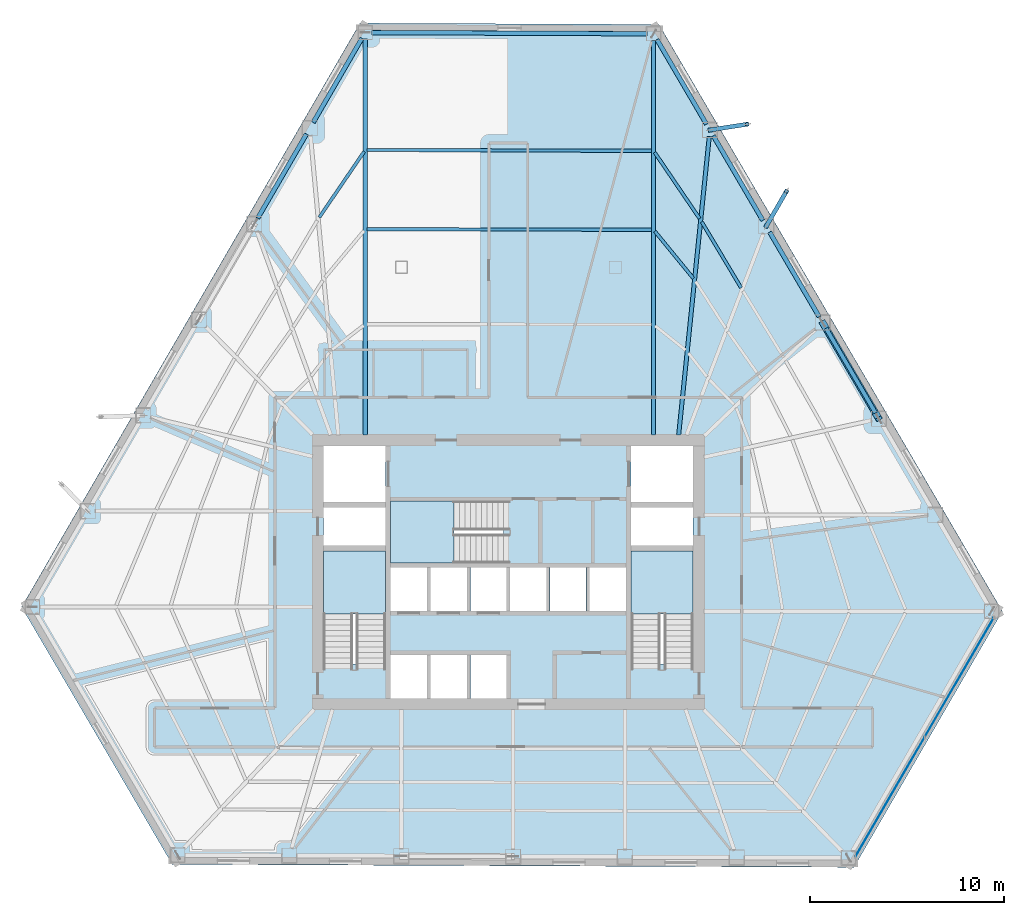
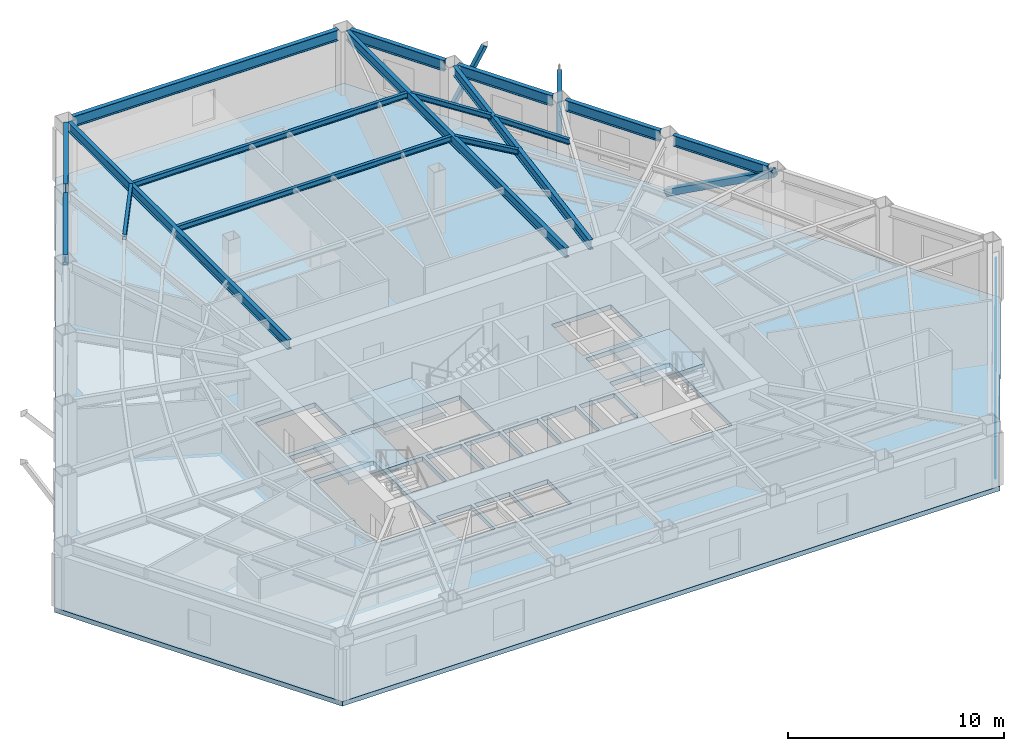
# One storey, part 4 of 14: 16 beams, 4 slabs, 3 members, 2 plates, 4 elements without a shape of their own.
"""IFC4 building model written with IfcOpenShell, lengths in metres."""

from ifc_helpers import new_model, si_unit, direction, frame, origin, origin_2d, place, context, subcontext, project, spatial, polyline, rectangle, hollow_rectangle, i_section, outline, extrude, material, layer, layer_set, material_profile, profile_set, type_object, element, aggregate, save


model = new_model("IFC4")

# Units and contexts
model_context = context("Model", 3, precision=1e-05, world=origin(), true_north=direction((0.0, 1.0)))
body_context = subcontext(model_context, "Body", "Model", "MODEL_VIEW")
ifc_project = project(units=[si_unit("LENGTHUNIT", "METRE"), si_unit("AREAUNIT", "SQUARE_METRE"), si_unit("VOLUMEUNIT", "CUBIC_METRE"), si_unit("PLANEANGLEUNIT", "RADIAN"), si_unit("MASSUNIT", "GRAM", prefix="KILO")], contexts=[model_context])

# Site, building, storey
site_placement = place(None, origin())
site = spatial("IfcSite", under=ifc_project, at=site_placement, CompositionType="ELEMENT")
building_placement = place(site_placement, origin())
building = spatial("IfcBuilding", under=site, at=building_placement, Name="Kavelnor Concourse Tower", CompositionType="ELEMENT")
storey_placement = place(building_placement, frame((0.0, 0.0, 52.199951171875)))
storey = spatial("IfcBuildingStorey", under=building, at=storey_placement, Name="L13", CompositionType="ELEMENT", Elevation=52.199951171875)

# Beams
ifc_material_1 = material(Name="Steel Grade 350", Category="steel")
ifc_material_profile_1 = material_profile(ifc_material_1, i_section(OverallWidth=0.166015625, OverallDepth=0.306884765625, WebThickness=0.006591796875, FlangeThickness=0.01171875, at=origin_2d()), Name="310UB46")
ifc_profile_set_1 = profile_set([ifc_material_profile_1], Name="Steel Grade 350")
beam_type_1 = type_object("IfcBeamType", Name="BM-JOIST-310", PredefinedType="JOIST", material=ifc_profile_set_1)
beam_1_placement = place(storey_placement, frame((49.988037109375, 30.73876953125, 3.4365234375), z_axis=(-0.513108303399, 0.858323871848, 0.0), x_axis=(-0.858323871848, -0.513108303399, 0.0)))
element("IfcBeam", 1, at=beam_1_placement, inside=storey, type_object=beam_type_1, Name="L13 Secondary Composite Joist 13-3", PredefinedType="JOIST", context=body_context, shape_type="SweptSolid", body=[
    extrude(i_section(OverallWidth=0.166015625, OverallDepth=0.306884765625, WebThickness=0.006591796875, FlangeThickness=0.01171875, at=origin_2d()), origin(), (0.0, 0.0, 1.0), 3.961181640625),
])
beam_2_placement = place(storey_placement, frame((47.52734375, 31.226318359375, 3.4365234375), z_axis=(-0.633267496171, 0.773932993413, 0.0), x_axis=(-0.773932993413, -0.633267496171, 0.0)))
element("IfcBeam", 2, at=beam_2_placement, inside=storey, type_object=beam_type_1, Name="L13 Secondary Composite Joist 14-2", PredefinedType="JOIST", context=body_context, shape_type="SweptSolid", body=[
    extrude(i_section(OverallWidth=0.166015625, OverallDepth=0.306884765625, WebThickness=0.006591796875, FlangeThickness=0.01171875, at=origin_2d()), origin(), (0.0, 0.0, 1.0), 3.1328125),
])
beam_3_placement = place(storey_placement, frame((47.849609375, 34.3046875, 3.4365234375), z_axis=(-0.561919022833, 0.827192245961, 0.0), x_axis=(-0.827192245961, -0.561919022833, 0.0)))
element("IfcBeam", 3, at=beam_3_placement, inside=storey, type_object=beam_type_1, Name="L13 Secondary Composite Joist 14-3", PredefinedType="JOIST", context=body_context, shape_type="SweptSolid", body=[
    extrude(i_section(OverallWidth=0.166015625, OverallDepth=0.306884765625, WebThickness=0.006591796875, FlangeThickness=0.01171875, at=origin_2d()), origin(), (0.0, 0.0, 1.0), 4.11669921875),
])
for number, where, z_axis, x_axis, name in (
    (4, (45.382568359375, 33.727294921875, 3.4365234375), (-0.99999746935, 0.002249731837, 0.0), (-0.002249731837, -0.99999746935, 0.0), "L13 Secondary Composite Joist 15-2"),
    (5, (45.382568359375, 37.791748046875, 3.4365234375), (-0.999995196156, 0.003099623485, 0.0), (-0.003099623485, -0.999995196156, 0.0), "L13 Secondary Composite Joist 15-3"),
):
    element("IfcBeam", number, at=place(storey_placement, frame(where, z_axis=z_axis, x_axis=x_axis)), inside=storey, type_object=beam_type_1, Name=name, PredefinedType="JOIST", context=body_context, shape_type="SweptSolid", body=[
        extrude(i_section(OverallWidth=0.166015625, OverallDepth=0.306884765625, WebThickness=0.006591796875, FlangeThickness=0.01171875, at=origin_2d()), origin(), (0.0, 0.0, 1.0), 14.650146484375),
    ])
beam_4_placement = place(storey_placement, frame((30.57861328125, 37.756103515625, 3.4365234375), z_axis=(-0.563857666458, -0.825871982801, 0.0), x_axis=(0.825871982801, -0.563857666458, 0.0)))
element("IfcBeam", 6, at=beam_4_placement, inside=storey, type_object=beam_type_1, Name="L13 Secondary Composite Joist 16-3", PredefinedType="JOIST", context=body_context, shape_type="SweptSolid", body=[
    extrude(i_section(OverallWidth=0.166015625, OverallDepth=0.306884765625, WebThickness=0.006591796875, FlangeThickness=0.01171875, at=origin_2d()), origin(), (0.0, 0.0, 1.0), 4.100830078125),
])
ifc_material_profile_2 = material_profile(ifc_material_1, i_section(OverallWidth=0.208984375, OverallDepth=0.528076171875, WebThickness=0.009521484375, FlangeThickness=0.01318359375, at=origin_2d()), Name="530UB82")
ifc_profile_set_2 = profile_set([ifc_material_profile_2], Name="Steel Grade 350")
beam_type_2 = type_object("IfcBeamType", Name="BM-PRIMARY-530", PredefinedType="BEAM", material=ifc_profile_set_2)
beam_5_placement = place(storey_placement, frame((30.634033203125, 23.159912109375, 3.325927734375), z_axis=(0.0, 1.0, 0.0), x_axis=(-1.0, 0.0, 0.0)))
element("IfcBeam", 7, at=beam_5_placement, inside=storey, type_object=beam_type_2, Name="L13 Primary Floor Girder F0-B0", PredefinedType="BEAM", context=body_context, shape_type="SweptSolid", body=[
    extrude(i_section(OverallWidth=0.208984375, OverallDepth=0.528076171875, WebThickness=0.009521484375, FlangeThickness=0.01318359375, at=origin_2d()), origin(), (0.0, 0.0, 1.0), 20.385498046875),
])
beam_6_placement = place(storey_placement, frame((46.769775390625, 23.16015625, 3.325927734375), z_axis=(0.102076191314, 0.994776583544, 0.0), x_axis=(-0.994776583544, 0.102076191314, 0.0)))
element("IfcBeam", 8, at=beam_6_placement, inside=storey, type_object=beam_type_2, Name="L13 Primary Floor Girder F2-B5", PredefinedType="BEAM", context=body_context, shape_type="SweptSolid", body=[
    extrude(i_section(OverallWidth=0.208984375, OverallDepth=0.528076171875, WebThickness=0.009521484375, FlangeThickness=0.01318359375, at=origin_2d()), origin(), (0.0, 0.0, 1.0), 15.44580078125),
])
beam_7_placement = place(storey_placement, frame((45.481201171875, 23.159912109375, 3.325927734375), z_axis=(0.0, 1.0, 0.0), x_axis=(-1.0, 0.0, 0.0)))
element("IfcBeam", 9, at=beam_7_placement, inside=storey, type_object=beam_type_2, Name="L13 Primary Floor Girder F2-B6", PredefinedType="BEAM", context=body_context, shape_type="SweptSolid", body=[
    extrude(i_section(OverallWidth=0.208984375, OverallDepth=0.528076171875, WebThickness=0.009521484375, FlangeThickness=0.01318359375, at=origin_2d()), origin(), (0.0, 0.0, 1.0), 20.321533203125),
])
ifc_material_profile_3 = material_profile(ifc_material_1, i_section(OverallWidth=0.22900390625, OverallDepth=0.612060546875, WebThickness=0.011962890625, FlangeThickness=0.01953125, at=origin_2d()), Name="610UB125")
ifc_profile_set_3 = profile_set([ifc_material_profile_3], Name="Steel Grade 350")
beam_type_3 = type_object("IfcBeamType", Name="BM-SPANDREL-Z1", PredefinedType="SPANDREL", material=ifc_profile_set_3)
beam_8_placement = place(storey_placement, frame((30.4609375, 43.5869140625, 3.283935546875), z_axis=(-0.501364886771, -0.865235950659, 0.0), x_axis=(0.865235950659, -0.501364886771, 0.0)))
element("IfcBeam", 10, at=beam_8_placement, inside=storey, type_object=beam_type_3, Name="L13 Perimeter Tube Spandrel Beam F0-B0", PredefinedType="SPANDREL", context=body_context, shape_type="SweptSolid", body=[
    extrude(i_section(OverallWidth=0.22900390625, OverallDepth=0.612060546875, WebThickness=0.011962890625, FlangeThickness=0.01953125, at=origin_2d()), origin(), (0.0, 0.0, 1.0), 5.00732421875),
])
beam_9_placement = place(storey_placement, frame((27.6044921875, 38.6572265625, 3.283935546875), z_axis=(-0.5014013863, -0.865214799813, 0.0), x_axis=(0.865214799813, -0.5014013863, 0.0)))
element("IfcBeam", 11, at=beam_9_placement, inside=storey, type_object=beam_type_3, Name="L13 Perimeter Tube Spandrel Beam F0-B1", PredefinedType="SPANDREL", context=body_context, shape_type="SweptSolid", body=[
    extrude(i_section(OverallWidth=0.22900390625, OverallDepth=0.612060546875, WebThickness=0.011962890625, FlangeThickness=0.01953125, at=origin_2d()), origin(), (0.0, 0.0, 1.0), 5.007568359375),
])
beam_10_placement = place(storey_placement, frame((45.135986328125, 43.822998046875, 3.283935546875), z_axis=(-0.999990780626, 0.004294026323, 0.0), x_axis=(-0.004294026323, -0.999990780626, 0.0)))
element("IfcBeam", 12, at=beam_10_placement, inside=storey, type_object=beam_type_3, Name="L13 Chamfer Facet Spandrel Beam C0", PredefinedType="SPANDREL", context=body_context, shape_type="SweptSolid", body=[
    extrude(i_section(OverallWidth=0.22900390625, OverallDepth=0.612060546875, WebThickness=0.011962890625, FlangeThickness=0.01953125, at=origin_2d()), origin(), (0.0, 0.0, 1.0), 14.1572265625),
])
for number, where, z_axis, x_axis, name in (
    (13, (56.907958984375, 24.296630859375, 3.283935546875), (-0.505105457838, 0.863057632179, 0.0), (-0.863057632179, -0.505105457838, 0.0), "L13 Perimeter Tube Spandrel Beam F2-B2"),
    (14, (54.0078125, 29.252197265625, 3.283935546875), (-0.505105457838, 0.863057632179, 0.0), (-0.863057632179, -0.505105457838, 0.0), "L13 Perimeter Tube Spandrel Beam F2-B3"),
):
    element("IfcBeam", number, at=place(storey_placement, frame(where, z_axis=z_axis, x_axis=x_axis)), inside=storey, type_object=beam_type_3, Name=name, PredefinedType="SPANDREL", context=body_context, shape_type="SweptSolid", body=[
        extrude(i_section(OverallWidth=0.22900390625, OverallDepth=0.612060546875, WebThickness=0.011962890625, FlangeThickness=0.01953125, at=origin_2d()), origin(), (0.0, 0.0, 1.0), 5.052001953125),
    ])
for number, where, z_axis, x_axis, name in (
    (15, (51.107421875, 34.2080078125, 3.283935546875), (-0.505126525655, 0.86304530187, 0.0), (-0.86304530187, -0.505126525655, 0.0), "L13 Perimeter Tube Spandrel Beam F2-B4"),
    (16, (48.20703125, 39.16357421875, 3.283935546875), (-0.505069459856, 0.863078699031, 0.0), (-0.863078699031, -0.505069459856, 0.0), "L13 Perimeter Tube Spandrel Beam F2-B5"),
):
    element("IfcBeam", number, at=place(storey_placement, frame(where, z_axis=z_axis, x_axis=x_axis)), inside=storey, type_object=beam_type_3, Name=name, PredefinedType="SPANDREL", context=body_context, shape_type="SweptSolid", body=[
        extrude(i_section(OverallWidth=0.22900390625, OverallDepth=0.612060546875, WebThickness=0.011962890625, FlangeThickness=0.01953125, at=origin_2d()), origin(), (0.0, 0.0, 1.0), 5.0517578125),
    ])

# Members
ifc_material_profile_4 = material_profile(ifc_material_1, hollow_rectangle(XDim=0.219970703125, YDim=0.219970703125, WallThickness=0.013916015625, at=origin_2d()), Name="SHS 220x220x14")
ifc_profile_set_4 = profile_set([ifc_material_profile_4], Name="Steel Grade 350")
member_type_1 = type_object("IfcMemberType", Name="MBR-BALC-STRUT-220", PredefinedType="STRUT", material=ifc_profile_set_4)
member_1_placement = place(storey_placement, frame((51.28173828125, 33.91015625, 1.050048828125), z_axis=(0.311612358735, 0.540377143955, 0.781594703267), x_axis=(-0.866285274004, 0.499549621203, 0.0)))
element("IfcMember", 17, at=member_1_placement, inside=storey, type_object=member_type_1, Name="L13 Tree Balcony Raking Knee Strut 1-A", PredefinedType="STRUT", context=body_context, shape_type="SweptSolid", body=[
    extrude(hollow_rectangle(XDim=0.219970703125, YDim=0.219970703125, WallThickness=0.013916015625, at=origin_2d()), origin(), (0.0, 0.0, 1.0), 3.3330078125),
])
member_2_placement = place(storey_placement, frame((48.38134765625, 38.86572265625, 1.050048828125), z_axis=(0.590366235176, 0.091467308493, 0.801936057203), x_axis=(-0.153106455282, 0.988209701101, 0.0)))
element("IfcMember", 18, at=member_2_placement, inside=storey, type_object=member_type_1, Name="L13 Tree Balcony Raking Knee Strut 1-B", PredefinedType="STRUT", context=body_context, shape_type="SweptSolid", body=[
    extrude(hollow_rectangle(XDim=0.219970703125, YDim=0.219970703125, WallThickness=0.013916015625, at=origin_2d()), origin(), (0.0, 0.0, 1.0), 3.248291015625),
])
ifc_material_profile_5 = material_profile(ifc_material_1, hollow_rectangle(XDim=0.35009765625, YDim=0.35009765625, WallThickness=0.02001953125, at=origin_2d()), Name="SHS 350x350x20")
ifc_profile_set_5 = profile_set([ifc_material_profile_5], Name="Steel Grade 350")
member_type_2 = type_object("IfcMemberType", Name="MBR-TUBE-DIAG-Z1", PredefinedType="BRACE", material=ifc_profile_set_5)
member_3_placement = place(storey_placement, frame((54.181884765625, 28.95458984375, 0.219970703125), z_axis=(0.445633128098, -0.761439971992, 0.470765636165), x_axis=(0.863057868806, 0.505105053521, 0.0)))
element("IfcMember", 19, at=member_3_placement, inside=storey, type_object=member_type_2, Name="L13 Framed-Tube Bracing Diagonal F2-B2", PredefinedType="BRACE", context=body_context, shape_type="SweptSolid", body=[
    extrude(hollow_rectangle(XDim=0.35009765625, YDim=0.35009765625, WallThickness=0.02001953125, at=origin_2d()), origin(), (0.0, 0.0, 1.0), 6.508544921875),
])

# Curtain wall, plates
ifc_material_2 = material(Name="Anodised aluminium 6063-T6", Category="aluminium")
ifc_layer_1 = layer(ifc_material_2, 0.155029296875, Name="Anodised aluminium 6063-T6")
ifc_layer_set_1 = layer_set([ifc_layer_1], Name="Anodised aluminium 6063-T6")
curtain_wall_type = type_object("IfcCurtainWallType", Name="CW-CORNER-ACCENT", PredefinedType="NOTDEFINED", material=ifc_layer_set_1)
curtain_wall_placement = place(storey_placement, origin())
curtain_wall = element("IfcCurtainWall", 20, at=curtain_wall_placement, inside=storey, type_object=curtain_wall_type, Name="L13 Chamfer Corner Glazed Accent C2", PredefinedType="NOTDEFINED")
ifc_material_3 = material(Name="Double low-E argon insulated glazing", Category="glass")
ifc_layer_2 = layer(ifc_material_3, 0.02587890625, Name="Double low-E argon insulated glazing")
ifc_layer_set_2 = layer_set([ifc_layer_2], Name="Double low-E argon insulated glazing")
plate_type = type_object("IfcPlateType", Name="CW-CORNER-ACCENT-PANEL", PredefinedType="CURTAIN_PANEL", material=ifc_layer_set_2)
plate_1_placement = place(storey_placement, frame((61.220703125, 10.6806640625, 0.06005859375), z_axis=(0.0, 0.0, 1.0), x_axis=(-0.501359732114, -0.865238937528, 0.0)))
plate_1 = element("IfcPlate", 21, at=plate_1_placement, type_object=plate_type, Name="L13 Chamfer Corner Glazed Accent C2 Vision Panel 1", PredefinedType="CURTAIN_PANEL", context=body_context, shape_type="SweptSolid", body=[
    extrude(rectangle(XDim=7.06689453125, YDim=0.02587890625, at=origin_2d()), origin(), (0.0, 0.0, 1.0), 2.580078125),
])
plate_2_placement = place(storey_placement, frame((57.650634765625, 4.51953125, 0.06005859375), z_axis=(0.0, 0.0, 1.0), x_axis=(-0.501359732114, -0.865238937528, 0.0)))
plate_2 = element("IfcPlate", 22, at=plate_2_placement, type_object=plate_type, Name="L13 Chamfer Corner Glazed Accent C2 Vision Panel 2", PredefinedType="CURTAIN_PANEL", context=body_context, shape_type="SweptSolid", body=[
    extrude(rectangle(XDim=7.06689453125, YDim=0.02587890625, at=origin_2d()), origin(), (0.0, 0.0, 1.0), 2.580078125),
])
aggregate(curtain_wall, [plate_1, plate_2])

# Stair, slab
ifc_material_4 = material(Name="Concrete C40/50", Category="concrete")
stair_type = type_object("IfcStairType", Name="STR-CORE-1500", PredefinedType="HALF_TURN_STAIR", material=ifc_material_4)
stair_1_placement = place(storey_placement, origin())
stair_1 = element("IfcStair", 23, at=stair_1_placement, inside=storey, type_object=stair_type, Name="L13 ST1", PredefinedType="HALF_TURN_STAIR")
ifc_layer_3 = layer(ifc_material_4, 0.199951171875, Name="Concrete C40/50")
ifc_layer_set_3 = layer_set([ifc_layer_3], Name="Concrete C40/50")
slab_type_1 = type_object("IfcSlabType", Name="SLB-LANDING-200", PredefinedType="LANDING", material=ifc_layer_set_3)
slab_1_placement = place(storey_placement, frame((0.0, 0.0, 1.72509765625)))
slab_1 = element("IfcSlab", 24, at=slab_1_placement, type_object=slab_type_1, Name="ST1 landing 1", PredefinedType="LANDING", context=body_context, shape_type="SweptSolid", body=[
    extrude(outline(polyline([(31.679931640625, 13.949951171875), (31.679931640625, 17.199951171875), (28.47998046875, 17.199951171875), (28.47998046875, 13.949951171875), (31.679931640625, 13.949951171875)])), origin(), (0.0, 0.0, 1.0), 0.199951171875),
])
aggregate(stair_1, [slab_1])

stair_2_placement = place(storey_placement, origin())
stair_2 = element("IfcStair", 25, at=stair_2_placement, inside=storey, type_object=stair_type, Name="L13 ST2", PredefinedType="HALF_TURN_STAIR")
slab_2_placement = place(storey_placement, frame((0.0, 0.0, 1.72509765625)))
slab_2 = element("IfcSlab", 26, at=slab_2_placement, type_object=slab_type_1, Name="ST2 landing 1", PredefinedType="LANDING", context=body_context, shape_type="SweptSolid", body=[
    extrude(outline(polyline([(47.52001953125, 13.949951171875), (47.52001953125, 17.199951171875), (44.320068359375, 17.199951171875), (44.320068359375, 13.949951171875), (47.52001953125, 13.949951171875)])), origin(), (0.0, 0.0, 1.0), 0.199951171875),
])
aggregate(stair_2, [slab_2])

stair_3_placement = place(storey_placement, origin())
stair_3 = element("IfcStair", 27, at=stair_3_placement, inside=storey, type_object=stair_type, Name="L13 ST3", PredefinedType="HALF_TURN_STAIR")
slab_3_placement = place(storey_placement, frame((0.0, 0.0, 1.72509765625)))
slab_3 = element("IfcSlab", 28, at=slab_3_placement, type_object=slab_type_1, Name="ST3 landing 1", PredefinedType="LANDING", context=body_context, shape_type="SweptSolid", body=[
    extrude(outline(polyline([(35.18994140625, 19.760009765625), (31.93994140625, 19.760009765625), (31.93994140625, 16.56005859375), (35.18994140625, 16.56005859375), (35.18994140625, 19.760009765625)])), origin(), (0.0, 0.0, 1.0), 0.199951171875),
])
aggregate(stair_3, [slab_3])

# Slab
ifc_layer_4 = layer(ifc_material_4, 0.260009765625, Name="Concrete C40/50")
ifc_layer_set_4 = layer_set([ifc_layer_4], Name="Concrete C40/50")
slab_type_2 = type_object("IfcSlabType", Name="SLB-OFFICE-260", PredefinedType="FLOOR", material=ifc_layer_set_4)
slab_4_placement = place(storey_placement, frame((0.0, 0.0, -0.260009765625)))
element("IfcSlab", 29, at=slab_4_placement, inside=storey, type_object=slab_type_2, Name="L13 Composite Structural Floor Slab", PredefinedType="FLOOR", context=body_context, shape_type="SweptSolid", body=[
    extrude(outline(polyline([(45.757080078125, 44.30029296875), (30.358154296875, 44.36669921875), (12.93896484375, 14.306396484375), (20.69580078125, 1.052490234375), (55.79638671875, 0.901123046875), (63.4384765625, 14.088623046875), (45.757080078125, 44.30029296875)]), holes=[polyline([(28.47998046875, 11.3798828125), (31.679931640625, 11.3798828125), (31.679931640625, 17.199951171875), (28.47998046875, 17.199951171875), (28.47998046875, 11.3798828125)]), polyline([(44.320068359375, 11.3798828125), (47.52001953125, 11.3798828125), (47.52001953125, 17.199951171875), (44.320068359375, 17.199951171875), (44.320068359375, 11.3798828125)]), polyline([(31.93994140625, 16.56005859375), (37.760009765625, 16.56005859375), (37.760009765625, 19.760009765625), (31.93994140625, 19.760009765625), (31.93994140625, 16.56005859375)]), polyline([(28.47998046875, 19.699951171875), (31.679931640625, 19.699951171875), (31.679931640625, 22.60009765625), (28.47998046875, 22.60009765625), (28.47998046875, 19.699951171875)]), polyline([(44.320068359375, 19.699951171875), (47.52001953125, 19.699951171875), (47.52001953125, 22.60009765625), (44.320068359375, 22.60009765625), (44.320068359375, 19.699951171875)]), polyline([(31.93994140625, 14.10009765625), (33.81005859375, 14.10009765625), (33.81005859375, 16.340087890625), (31.93994140625, 16.340087890625), (31.93994140625, 14.10009765625)]), polyline([(33.989990234375, 14.10009765625), (35.860107421875, 14.10009765625), (35.860107421875, 16.340087890625), (33.989990234375, 16.340087890625), (33.989990234375, 14.10009765625)]), polyline([(36.0400390625, 14.10009765625), (37.909912109375, 14.10009765625), (37.909912109375, 16.340087890625), (36.0400390625, 16.340087890625), (36.0400390625, 14.10009765625)]), polyline([(38.090087890625, 14.10009765625), (39.9599609375, 14.10009765625), (39.9599609375, 16.340087890625), (38.090087890625, 16.340087890625), (38.090087890625, 14.10009765625)]), polyline([(40.139892578125, 14.10009765625), (42.010009765625, 14.10009765625), (42.010009765625, 16.340087890625), (40.139892578125, 16.340087890625), (40.139892578125, 14.10009765625)]), polyline([(42.18994140625, 14.10009765625), (44.06005859375, 14.10009765625), (44.06005859375, 16.340087890625), (42.18994140625, 16.340087890625), (42.18994140625, 14.10009765625)]), polyline([(31.93994140625, 9.60009765625), (33.81005859375, 9.60009765625), (33.81005859375, 11.840087890625), (31.93994140625, 11.840087890625), (31.93994140625, 9.60009765625)]), polyline([(33.989990234375, 9.60009765625), (35.860107421875, 9.60009765625), (35.860107421875, 11.840087890625), (33.989990234375, 11.840087890625), (33.989990234375, 9.60009765625)]), polyline([(36.0400390625, 9.60009765625), (37.909912109375, 9.60009765625), (37.909912109375, 11.840087890625), (36.0400390625, 11.840087890625), (36.0400390625, 9.60009765625)]), polyline([(28.47998046875, 17.4599609375), (31.679931640625, 17.4599609375), (31.679931640625, 19.43994140625), (28.47998046875, 19.43994140625), (28.47998046875, 17.4599609375)]), polyline([(44.320068359375, 17.4599609375), (47.52001953125, 17.4599609375), (47.52001953125, 19.43994140625), (44.320068359375, 19.43994140625), (44.320068359375, 17.4599609375)])]), origin(), (0.0, 0.0, 1.0), 0.260009765625),
])

save(model, "model.ifc")
